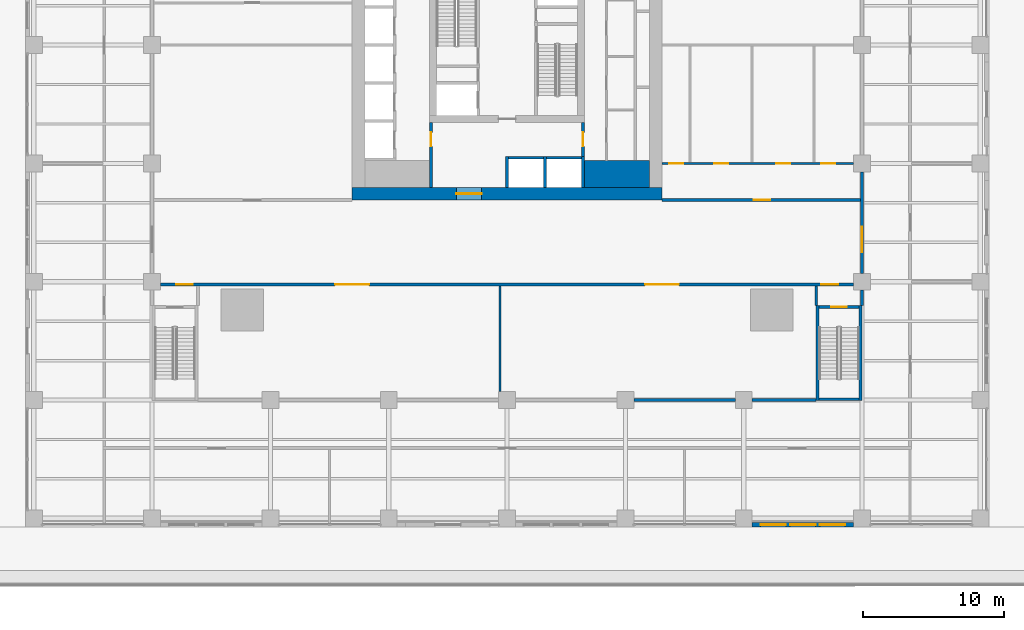
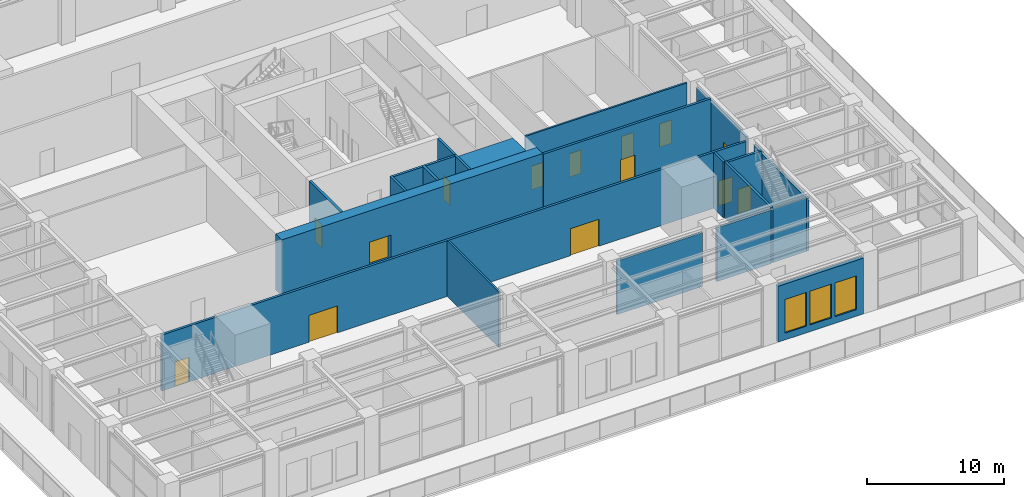
# One storey, part 23 of 36: 23 walls, 14 doors, 3 windows, 17 openings.
"""IFC4 building model written with IfcOpenShell, lengths in metres."""

from ifc_helpers import new_model, si_unit, direction, frame, frame_2d, origin, place, context, subcontext, project, spatial, rectangle, extrude, material, layer, layer_set, type_object, element, fill, save


model = new_model("IFC4")

# Units and contexts
model_context = context("Model", 3, precision=1e-05, world=origin(), true_north=direction((0.0, 1.0)))
body_context = subcontext(model_context, "Body", "Model", "MODEL_VIEW")
ifc_project = project(units=[si_unit("LENGTHUNIT", "METRE"), si_unit("AREAUNIT", "SQUARE_METRE"), si_unit("VOLUMEUNIT", "CUBIC_METRE"), si_unit("PLANEANGLEUNIT", "RADIAN"), si_unit("MASSUNIT", "GRAM", prefix="KILO")], contexts=[model_context])

# Site, building, storey
site_placement = place(None, origin())
site = spatial("IfcSite", under=ifc_project, at=site_placement, CompositionType="ELEMENT")
building_placement = place(site_placement, origin())
building = spatial("IfcBuilding", under=site, at=building_placement, Name="Khepri Terraces", CompositionType="ELEMENT")
storey_placement = place(building_placement, frame((0.0, 0.0, 16.800048828125)))
storey = spatial("IfcBuildingStorey", under=building, at=storey_placement, Name="L03", CompositionType="ELEMENT", Elevation=16.800048828125)

# Walls
ifc_material_1 = material(Name="Concrete C80/95", Category="concrete")
ifc_layer_1 = layer(ifc_material_1, 1.89990234375, Name="Concrete C80/95", Category="concrete")
ifc_layer_set_1 = layer_set([ifc_layer_1], Name="Concrete C80/95")
wall_type_1 = type_object("IfcWallType", Name="Core wall 1900 C80/95", PredefinedType="SHEAR", material=ifc_layer_set_1)
wall_1_placement = place(storey_placement, frame((5.5, -9.14990234375, 0.0), z_axis=(0.0, 0.0, 1.0), x_axis=(1.0, 0.0, 0.0)))
element("IfcWall", 1, at=wall_1_placement, inside=storey, type_object=wall_type_1, Name="Core wall PR02 L03", PredefinedType="SHEAR", context=body_context, shape_type="SweptSolid", body=[
    extrude(rectangle(XDim=4.60009765625, YDim=1.89990234375, at=frame_2d((2.300048828125, 0.0))), origin(), (0.0, 0.0, 1.0), 4.97998046875),
])
ifc_layer_2 = layer(ifc_material_1, 0.199951171875, Name="Concrete C80/95", Category="concrete")
ifc_layer_set_2 = layer_set([ifc_layer_2], Name="Concrete C80/95")
wall_type_2 = type_object("IfcWallType", Name="Core wall 200 C80/95", PredefinedType="SHEAR", material=ifc_layer_set_2)
for number, where, z_axis, x_axis, name in (
    (2, (0.0, -10.10009765625, 0.0), (0.0, 0.0, 1.0), (0.0, 1.0, 0.0), "Core wall SH01 L03"),
    (3, (2.699951171875, -10.10009765625, 0.0), (0.0, 0.0, 1.0), (0.0, 1.0, 0.0), "Core wall SH02 L03"),
    (4, (5.39990234375, -10.10009765625, 0.0), (0.0, 0.0, 1.0), (0.0, 1.0, 0.0), "Core wall SH03 L03"),
):
    element("IfcWall", number, at=place(storey_placement, frame(where, z_axis=z_axis, x_axis=x_axis)), inside=storey, type_object=wall_type_2, Name=name, PredefinedType="SHEAR", context=body_context, shape_type="SweptSolid", body=[
        extrude(rectangle(XDim=2.2001953125, YDim=0.199951171875, at=frame_2d((1.10009765625, 0.0))), origin(), (0.0, 0.0, 1.0), 4.97998046875),
    ])
for number, where, z_axis, x_axis, name in (
    (5, (0.10009765625, -8.0, 0.0), (0.0, 0.0, 1.0), (1.0, 0.0, 0.0), "Core wall SH06 L03"),
    (6, (2.800048828125, -8.0, 0.0), (0.0, 0.0, 1.0), (1.0, 0.0, 0.0), "Core wall SH07 L03"),
):
    element("IfcWall", number, at=place(storey_placement, frame(where, z_axis=z_axis, x_axis=x_axis)), inside=storey, type_object=wall_type_2, Name=name, PredefinedType="SHEAR", context=body_context, shape_type="SweptSolid", body=[
        extrude(rectangle(XDim=2.5, YDim=0.199951171875, at=frame_2d((1.25, 0.0))), origin(), (0.0, 0.0, 1.0), 4.97998046875),
    ])

# Wall, opening, door
ifc_layer_3 = layer(ifc_material_1, 0.89990234375, Name="Concrete C80/95", Category="concrete")
ifc_layer_set_3 = layer_set([ifc_layer_3], Name="Concrete C80/95")
wall_type_3 = type_object("IfcWallType", Name="Core wall 900 C80/95", PredefinedType="SHEAR", material=ifc_layer_set_3)
wall_2_placement = place(storey_placement, frame((-11.0, -10.550048828125, 0.0), z_axis=(0.0, 0.0, 1.0), x_axis=(1.0, 0.0, 0.0)))
wall_2 = element("IfcWall", 7, at=wall_2_placement, inside=storey, type_object=wall_type_3, Name="Core wall OW-S L03", PredefinedType="SHEAR", context=body_context, shape_type="SweptSolid", body=[
    extrude(rectangle(XDim=22.0, YDim=0.89990234375, at=frame_2d((11.0, 0.0))), origin(), (0.0, 0.0, 1.0), 4.97998046875),
])
opening_1_placement = place(wall_2_placement, frame((7.39990234375, 0.0, 0.0)))
opening_1 = element("IfcOpeningElement", 8, at=opening_1_placement, cuts=wall_2, Name="Opening L03-C21", PredefinedType="OPENING", context=body_context, shape_type="SweptSolid", body=[
    extrude(rectangle(XDim=1.800048828125, YDim=2.199951171875, at=frame_2d((0.89990234375, 1.10009765625))), frame((0.0, 0.4599609375, 0.0), z_axis=(0.0, -1.0, 0.0), x_axis=(1.0, 0.0, 0.0)), (0.0, 0.0, 1.0), 0.919921875),
])
ifc_material_2 = material(Name="Painted steel", Category="steel")
door_type_1 = type_object("IfcDoorType", Name="DR-CORE-ENTRANCE-1800", OperationType="NOTDEFINED", PredefinedType="DOOR", material=ifc_material_2)
door_1_placement = place(opening_1_placement, frame((1.800048828125, 0.0, 0.0), z_axis=(0.0, 0.0, 1.0), x_axis=(-1.0, 0.0, 0.0)))
door_1 = element("IfcDoor", 9, at=door_1_placement, inside=storey, type_object=door_type_1, Name="Core entrance door pair L03-C21", OperationType="DOUBLE_DOOR_SINGLE_SWING", OverallHeight=2.199951171875, OverallWidth=1.800048828125, PredefinedType="DOOR", context=body_context, shape_type="SweptSolid", body=[
    extrude(rectangle(XDim=1.800048828125, YDim=2.199951171875, at=frame_2d((0.89990234375, 1.10009765625))), frame((0.0, 0.02490234375, 0.0), z_axis=(0.0, -1.0, 0.0), x_axis=(1.0, 0.0, 0.0)), (0.0, 0.0, 1.0), 0.050048828125),
])
fill(opening_1, door_1)

ifc_material_3 = material(Name="Fire-rated gypsum board partition")
ifc_layer_4 = layer(ifc_material_3, 0.199951171875, Name="Fire-rated gypsum board partition")
ifc_layer_set_4 = layer_set([ifc_layer_4], Name="Fire-rated gypsum board partition")
wall_type_4 = type_object("IfcWallType", Name="WL-CORE-PART-200", PredefinedType="PARTITIONING", material=ifc_layer_set_4)
wall_3_placement = place(storey_placement, frame((-5.39990234375, -10.10009765625, 0.0), z_axis=(0.0, 0.0, 1.0), x_axis=(0.0, 1.0, 0.0)))
wall_3 = element("IfcWall", 10, at=wall_3_placement, inside=storey, type_object=wall_type_4, Name="Core partition PT01 L03", PredefinedType="PARTITIONING", context=body_context, shape_type="SweptSolid", body=[
    extrude(rectangle(XDim=4.60009765625, YDim=0.199951171875, at=frame_2d((2.300048828125, 0.0))), origin(), (0.0, 0.0, 1.0), 4.97998046875),
])
opening_2_placement = place(wall_3_placement, frame((2.89990234375, 0.0, 0.0)))
opening_2 = element("IfcOpeningElement", 11, at=opening_2_placement, cuts=wall_3, Name="Opening L03-C18", PredefinedType="OPENING", context=body_context, shape_type="SweptSolid", body=[
    extrude(rectangle(XDim=1.0, YDim=2.10009765625, at=frame_2d((0.5, 1.050048828125))), frame((0.0, 0.10986328125, 0.0), z_axis=(0.0, -1.0, 0.0), x_axis=(1.0, 0.0, 0.0)), (0.0, 0.0, 1.0), 0.219970703125),
])
door_type_2 = type_object("IfcDoorType", Name="DR-CORE-LOBBY-1000", OperationType="NOTDEFINED", PredefinedType="DOOR", material=ifc_material_2)
door_2_placement = place(opening_2_placement, frame((1.0, 0.0, 0.0), z_axis=(0.0, 0.0, 1.0), x_axis=(-1.0, 0.0, 0.0)))
door_2 = element("IfcDoor", 12, at=door_2_placement, inside=storey, type_object=door_type_2, Name="Lobby door L03-C18", OperationType="SINGLE_SWING_LEFT", OverallHeight=2.10009765625, OverallWidth=1.0, PredefinedType="DOOR", context=body_context, shape_type="SweptSolid", body=[
    extrude(rectangle(XDim=1.0, YDim=2.10009765625, at=frame_2d((0.5, 1.050048828125))), frame((0.0, 0.02490234375, 0.0), z_axis=(0.0, -1.0, 0.0), x_axis=(1.0, 0.0, 0.0)), (0.0, 0.0, 1.0), 0.050048828125),
])
fill(opening_2, door_2)

wall_4_placement = place(storey_placement, frame((5.39990234375, -7.89990234375, 0.0), z_axis=(0.0, 0.0, 1.0), x_axis=(0.0, 1.0, 0.0)))
wall_4 = element("IfcWall", 13, at=wall_4_placement, inside=storey, type_object=wall_type_4, Name="Core partition PT03 L03", PredefinedType="PARTITIONING", context=body_context, shape_type="SweptSolid", body=[
    extrude(rectangle(XDim=2.39990234375, YDim=0.199951171875, at=frame_2d((1.199951171875, 0.0))), origin(), (0.0, 0.0, 1.0), 4.97998046875),
])
opening_3_placement = place(wall_4_placement, frame((0.699951171875, 0.0, 0.0)))
opening_3 = element("IfcOpeningElement", 14, at=opening_3_placement, cuts=wall_4, Name="Opening L03-C19", PredefinedType="OPENING", context=body_context, shape_type="SweptSolid", body=[
    extrude(rectangle(XDim=1.0, YDim=2.10009765625, at=frame_2d((0.5, 1.050048828125))), frame((0.0, 0.10986328125, 0.0), z_axis=(0.0, -1.0, 0.0), x_axis=(1.0, 0.0, 0.0)), (0.0, 0.0, 1.0), 0.219970703125),
])
door_3_placement = place(opening_3_placement, origin())
door_3 = element("IfcDoor", 15, at=door_3_placement, inside=storey, type_object=door_type_2, Name="Lobby door L03-C19", OperationType="SINGLE_SWING_RIGHT", OverallHeight=2.10009765625, OverallWidth=1.0, PredefinedType="DOOR", context=body_context, shape_type="SweptSolid", body=[
    extrude(rectangle(XDim=1.0, YDim=2.10009765625, at=frame_2d((0.5, 1.050048828125))), frame((0.0, 0.02490234375, 0.0), z_axis=(0.0, -1.0, 0.0), x_axis=(1.0, 0.0, 0.0)), (0.0, 0.0, 1.0), 0.050048828125),
])
fill(opening_3, door_3)

# Wall, openings, windows
ifc_material_4 = material(Name="Precast concrete C50/60 warm stone", Category="masonry")
ifc_layer_5 = layer(ifc_material_4, 0.300048828125, Name="Precast concrete C50/60 warm stone", Category="masonry")
ifc_layer_set_5 = layer_set([ifc_layer_5], Name="Precast concrete C50/60 warm stone")
wall_type_5 = type_object("IfcWallType", Name="WL-EXT-PRECAST-300", PredefinedType="STANDARD", material=ifc_layer_set_5)
wall_5_placement = place(storey_placement, frame((17.39990234375, -34.050048828125, 0.0), z_axis=(0.0, 0.0, 1.0), x_axis=(1.0, 0.0, 0.0)))
wall_5 = element("IfcWall", 16, at=wall_5_placement, inside=storey, type_object=wall_type_5, Name="External wall L03 S", PredefinedType="STANDARD", context=body_context, shape_type="SweptSolid", body=[
    extrude(rectangle(XDim=7.2001953125, YDim=0.300048828125, at=frame_2d((3.60009765625, 0.0))), origin(), (0.0, 0.0, 1.0), 4.97998046875),
])
opening_4_placement = place(wall_5_placement, frame((0.60009765625, 0.0, 0.60009765625)))
opening_4 = element("IfcOpeningElement", 17, at=opening_4_placement, cuts=wall_5, Name="Opening WP1", PredefinedType="OPENING", context=body_context, shape_type="SweptSolid", body=[
    extrude(rectangle(XDim=1.800048828125, YDim=3.0, at=frame_2d((0.89990234375, 1.5))), frame((0.0, 0.16015625, 0.0), z_axis=(0.0, -1.0, 0.0), x_axis=(1.0, 0.0, 0.0)), (0.0, 0.0, 1.0), 0.320068359375),
])
opening_5_placement = place(wall_5_placement, frame((2.699951171875, 0.0, 0.60009765625)))
opening_5 = element("IfcOpeningElement", 18, at=opening_5_placement, cuts=wall_5, Name="Opening WP1", PredefinedType="OPENING", context=body_context, shape_type="SweptSolid", body=[
    extrude(rectangle(XDim=1.800048828125, YDim=3.0, at=frame_2d((0.89990234375, 1.5))), frame((0.0, 0.16015625, 0.0), z_axis=(0.0, -1.0, 0.0), x_axis=(1.0, 0.0, 0.0)), (0.0, 0.0, 1.0), 0.320068359375),
])
opening_6_placement = place(wall_5_placement, frame((4.800048828125, 0.0, 0.60009765625)))
opening_6 = element("IfcOpeningElement", 19, at=opening_6_placement, cuts=wall_5, Name="Opening WP1", PredefinedType="OPENING", context=body_context, shape_type="SweptSolid", body=[
    extrude(rectangle(XDim=1.800048828125, YDim=3.0, at=frame_2d((0.89990234375, 1.5))), frame((0.0, 0.16015625, 0.0), z_axis=(0.0, -1.0, 0.0), x_axis=(1.0, 0.0, 0.0)), (0.0, 0.0, 1.0), 0.320068359375),
])
ifc_material_5 = material(Name="Clear glass", Category="glass")
window_type = type_object("IfcWindowType", Name="WIN-POD-1800x3000", PartitioningType="SINGLE_PANEL", PredefinedType="WINDOW", material=ifc_material_5)
window_1_placement = place(opening_4_placement, origin())
window_1 = element("IfcWindow", 20, at=window_1_placement, inside=storey, type_object=window_type, Name="Window L03 S", OverallHeight=3.0, OverallWidth=1.800048828125, PartitioningType="SINGLE_PANEL", PredefinedType="WINDOW", context=body_context, shape_type="SweptSolid", body=[
    extrude(rectangle(XDim=1.800048828125, YDim=3.0, at=frame_2d((0.89990234375, 1.5))), frame((0.0, 0.030029296875, 0.0), z_axis=(0.0, -1.0, 0.0), x_axis=(1.0, 0.0, 0.0)), (0.0, 0.0, 1.0), 0.06005859375),
])
fill(opening_4, window_1)
window_2_placement = place(opening_5_placement, origin())
window_2 = element("IfcWindow", 21, at=window_2_placement, inside=storey, type_object=window_type, Name="Window L03 S", OverallHeight=3.0, OverallWidth=1.800048828125, PartitioningType="SINGLE_PANEL", PredefinedType="WINDOW", context=body_context, shape_type="SweptSolid", body=[
    extrude(rectangle(XDim=1.800048828125, YDim=3.0, at=frame_2d((0.89990234375, 1.5))), frame((0.0, 0.030029296875, 0.0), z_axis=(0.0, -1.0, 0.0), x_axis=(1.0, 0.0, 0.0)), (0.0, 0.0, 1.0), 0.06005859375),
])
fill(opening_5, window_2)
window_3_placement = place(opening_6_placement, origin())
window_3 = element("IfcWindow", 22, at=window_3_placement, inside=storey, type_object=window_type, Name="Window L03 S", OverallHeight=3.0, OverallWidth=1.800048828125, PartitioningType="SINGLE_PANEL", PredefinedType="WINDOW", context=body_context, shape_type="SweptSolid", body=[
    extrude(rectangle(XDim=1.800048828125, YDim=3.0, at=frame_2d((0.89990234375, 1.5))), frame((0.0, 0.030029296875, 0.0), z_axis=(0.0, -1.0, 0.0), x_axis=(1.0, 0.0, 0.0)), (0.0, 0.0, 1.0), 0.06005859375),
])
fill(opening_6, window_3)

# Wall, openings, doors
ifc_material_6 = material(Name="Gypsum board partition")
ifc_layer_6 = layer(ifc_material_6, 0.14990234375, Name="Gypsum board partition")
ifc_layer_set_6 = layer_set([ifc_layer_6], Name="Gypsum board partition")
wall_type_6 = type_object("IfcWallType", Name="WL-POD-150", PredefinedType="PARTITIONING", material=ifc_layer_set_6)
wall_6_placement = place(storey_placement, frame((11.0, -8.39990234375, 0.0), z_axis=(0.0, 0.0, 1.0), x_axis=(1.0, 0.0, 0.0)))
wall_6 = element("IfcWall", 23, at=wall_6_placement, inside=storey, type_object=wall_type_6, Name="Partition L03-PW013", PredefinedType="PARTITIONING", context=body_context, shape_type="SweptSolid", body=[
    extrude(rectangle(XDim=13.60009765625, YDim=0.14990234375, at=frame_2d((6.800048828125, 0.0))), origin(), (0.0, 0.0, 1.0), 4.97998046875),
])
opening_7_placement = place(wall_6_placement, frame((0.5, 0.0, 0.0)))
opening_7 = element("IfcOpeningElement", 24, at=opening_7_placement, cuts=wall_6, Name="Opening L03-P15", PredefinedType="OPENING", context=body_context, shape_type="SweptSolid", body=[
    extrude(rectangle(XDim=1.0, YDim=2.10009765625, at=frame_2d((0.5, 1.050048828125))), frame((0.0, 0.0849609375, 0.0), z_axis=(0.0, -1.0, 0.0), x_axis=(1.0, 0.0, 0.0)), (0.0, 0.0, 1.0), 0.169921875),
])
opening_8_placement = place(wall_6_placement, frame((3.699951171875, 0.0, 0.0)))
opening_8 = element("IfcOpeningElement", 25, at=opening_8_placement, cuts=wall_6, Name="Opening L03-P16", PredefinedType="OPENING", context=body_context, shape_type="SweptSolid", body=[
    extrude(rectangle(XDim=1.0, YDim=2.10009765625, at=frame_2d((0.5, 1.050048828125))), frame((0.0, 0.0849609375, 0.0), z_axis=(0.0, -1.0, 0.0), x_axis=(1.0, 0.0, 0.0)), (0.0, 0.0, 1.0), 0.169921875),
])
opening_9_placement = place(wall_6_placement, frame((8.10009765625, 0.0, 0.0)))
opening_9 = element("IfcOpeningElement", 26, at=opening_9_placement, cuts=wall_6, Name="Opening L03-P17", PredefinedType="OPENING", context=body_context, shape_type="SweptSolid", body=[
    extrude(rectangle(XDim=1.0, YDim=2.10009765625, at=frame_2d((0.5, 1.050048828125))), frame((0.0, 0.0849609375, 0.0), z_axis=(0.0, -1.0, 0.0), x_axis=(1.0, 0.0, 0.0)), (0.0, 0.0, 1.0), 0.169921875),
])
opening_10_placement = place(wall_6_placement, frame((11.300048828125, 0.0, 0.0)))
opening_10 = element("IfcOpeningElement", 27, at=opening_10_placement, cuts=wall_6, Name="Opening L03-P18", PredefinedType="OPENING", context=body_context, shape_type="SweptSolid", body=[
    extrude(rectangle(XDim=1.0, YDim=2.10009765625, at=frame_2d((0.5, 1.050048828125))), frame((0.0, 0.0849609375, 0.0), z_axis=(0.0, -1.0, 0.0), x_axis=(1.0, 0.0, 0.0)), (0.0, 0.0, 1.0), 0.169921875),
])
ifc_material_7 = material(Name="Timber veneer", Category="wood")
door_type_3 = type_object("IfcDoorType", Name="DR-POD-SINGLE-1000", OperationType="NOTDEFINED", PredefinedType="DOOR", material=ifc_material_7)
door_4_placement = place(opening_7_placement, origin())
door_4 = element("IfcDoor", 28, at=door_4_placement, inside=storey, type_object=door_type_3, Name="Door L03-P15", OperationType="SINGLE_SWING_LEFT", OverallHeight=2.10009765625, OverallWidth=1.0, PredefinedType="DOOR", context=body_context, shape_type="SweptSolid", body=[
    extrude(rectangle(XDim=1.0, YDim=2.10009765625, at=frame_2d((0.5, 1.050048828125))), frame((0.0, 0.02490234375, 0.0), z_axis=(0.0, -1.0, 0.0), x_axis=(1.0, 0.0, 0.0)), (0.0, 0.0, 1.0), 0.050048828125),
])
fill(opening_7, door_4)
door_5_placement = place(opening_8_placement, origin())
door_5 = element("IfcDoor", 29, at=door_5_placement, inside=storey, type_object=door_type_3, Name="Door L03-P16", OperationType="SINGLE_SWING_LEFT", OverallHeight=2.10009765625, OverallWidth=1.0, PredefinedType="DOOR", context=body_context, shape_type="SweptSolid", body=[
    extrude(rectangle(XDim=1.0, YDim=2.10009765625, at=frame_2d((0.5, 1.050048828125))), frame((0.0, 0.02490234375, 0.0), z_axis=(0.0, -1.0, 0.0), x_axis=(1.0, 0.0, 0.0)), (0.0, 0.0, 1.0), 0.050048828125),
])
fill(opening_8, door_5)
door_6_placement = place(opening_9_placement, origin())
door_6 = element("IfcDoor", 30, at=door_6_placement, inside=storey, type_object=door_type_3, Name="Door L03-P17", OperationType="SINGLE_SWING_RIGHT", OverallHeight=2.10009765625, OverallWidth=1.0, PredefinedType="DOOR", context=body_context, shape_type="SweptSolid", body=[
    extrude(rectangle(XDim=1.0, YDim=2.10009765625, at=frame_2d((0.5, 1.050048828125))), frame((0.0, 0.02490234375, 0.0), z_axis=(0.0, -1.0, 0.0), x_axis=(1.0, 0.0, 0.0)), (0.0, 0.0, 1.0), 0.050048828125),
])
fill(opening_9, door_6)
door_7_placement = place(opening_10_placement, origin())
door_7 = element("IfcDoor", 31, at=door_7_placement, inside=storey, type_object=door_type_3, Name="Door L03-P18", OperationType="SINGLE_SWING_RIGHT", OverallHeight=2.10009765625, OverallWidth=1.0, PredefinedType="DOOR", context=body_context, shape_type="SweptSolid", body=[
    extrude(rectangle(XDim=1.0, YDim=2.10009765625, at=frame_2d((0.5, 1.050048828125))), frame((0.0, 0.02490234375, 0.0), z_axis=(0.0, -1.0, 0.0), x_axis=(1.0, 0.0, 0.0)), (0.0, 0.0, 1.0), 0.050048828125),
])
fill(opening_10, door_7)

# Walls
wall_7_placement = place(storey_placement, frame((-0.5, -24.60009765625, 0.0), z_axis=(0.0, 0.0, 1.0), x_axis=(0.0, 1.0, 0.0)))
element("IfcWall", 32, at=wall_7_placement, inside=storey, type_object=wall_type_6, Name="Partition L03-PW043", PredefinedType="PARTITIONING", context=body_context, shape_type="SweptSolid", body=[
    extrude(rectangle(XDim=7.5, YDim=0.14990234375, at=frame_2d((3.75, 0.0))), origin(), (0.0, 0.0, 1.0), 4.97998046875),
])
ifc_material_8 = material(Name="Fire-rated block wall")
ifc_layer_7 = layer(ifc_material_8, 0.199951171875, Name="Fire-rated block wall")
ifc_layer_set_7 = layer_set([ifc_layer_7], Name="Fire-rated block wall")
wall_type_7 = type_object("IfcWallType", Name="WL-POD-200-EI60", PredefinedType="PARTITIONING", material=ifc_layer_set_7)
wall_8_placement = place(storey_placement, frame((9.0, -25.199951171875, 0.0), z_axis=(0.0, 0.0, 1.0), x_axis=(1.0, 0.0, 0.0)))
element("IfcWall", 33, at=wall_8_placement, inside=storey, type_object=wall_type_7, Name="Partition L03-PW006", PredefinedType="PARTITIONING", context=body_context, shape_type="SweptSolid", body=[
    extrude(rectangle(XDim=7.199951171875, YDim=0.199951171875, at=frame_2d((3.60009765625, 0.0))), origin(), (0.0, 0.0, 1.0), 4.780029296875),
])
wall_9_placement = place(storey_placement, frame((17.39990234375, -25.199951171875, 0.0), z_axis=(0.0, 0.0, 1.0), x_axis=(1.0, 0.0, 0.0)))
element("IfcWall", 34, at=wall_9_placement, inside=storey, type_object=wall_type_7, Name="Partition L03-PW007", PredefinedType="PARTITIONING", context=body_context, shape_type="SweptSolid", body=[
    extrude(rectangle(XDim=4.550048828125, YDim=0.199951171875, at=frame_2d((2.27490234375, 0.0))), origin(), (0.0, 0.0, 1.0), 4.780029296875),
])

# Wall, openings, doors
wall_10_placement = place(storey_placement, frame((-24.60009765625, -17.0, 0.0), z_axis=(0.0, 0.0, 1.0), x_axis=(1.0, 0.0, 0.0)))
wall_10 = element("IfcWall", 35, at=wall_10_placement, inside=storey, type_object=wall_type_7, Name="Partition L03-PW008", PredefinedType="PARTITIONING", context=body_context, shape_type="SweptSolid", body=[
    extrude(rectangle(XDim=49.2001953125, YDim=0.199951171875, at=frame_2d((24.60009765625, 0.0))), origin(), (0.0, 0.0, 1.0), 4.97998046875),
])
opening_11_placement = place(wall_10_placement, frame((1.10009765625, 0.0, 0.0)))
opening_11 = element("IfcOpeningElement", 36, at=opening_11_placement, cuts=wall_10, Name="Opening L03-P06", PredefinedType="OPENING", context=body_context, shape_type="SweptSolid", body=[
    extrude(rectangle(XDim=1.199951171875, YDim=2.199951171875, at=frame_2d((0.60009765625, 1.10009765625))), frame((0.0, 0.10986328125, 0.0), z_axis=(0.0, -1.0, 0.0), x_axis=(1.0, 0.0, 0.0)), (0.0, 0.0, 1.0), 0.219970703125),
])
opening_12_placement = place(wall_10_placement, frame((12.39990234375, 0.0, 0.0)))
opening_12 = element("IfcOpeningElement", 37, at=opening_12_placement, cuts=wall_10, Name="Opening L03-P07", PredefinedType="OPENING", context=body_context, shape_type="SweptSolid", body=[
    extrude(rectangle(XDim=2.39990234375, YDim=2.39990234375, at=frame_2d((1.199951171875, 1.199951171875))), frame((0.0, 0.10986328125, 0.0), z_axis=(0.0, -1.0, 0.0), x_axis=(1.0, 0.0, 0.0)), (0.0, 0.0, 1.0), 0.219970703125),
])
opening_13_placement = place(wall_10_placement, frame((34.39990234375, 0.0, 0.0)))
opening_13 = element("IfcOpeningElement", 38, at=opening_13_placement, cuts=wall_10, Name="Opening L03-P08", PredefinedType="OPENING", context=body_context, shape_type="SweptSolid", body=[
    extrude(rectangle(XDim=2.39990234375, YDim=2.39990234375, at=frame_2d((1.199951171875, 1.199951171875))), frame((0.0, 0.10986328125, 0.0), z_axis=(0.0, -1.0, 0.0), x_axis=(1.0, 0.0, 0.0)), (0.0, 0.0, 1.0), 0.219970703125),
])
opening_14_placement = place(wall_10_placement, frame((46.89990234375, 0.0, 0.0)))
opening_14 = element("IfcOpeningElement", 39, at=opening_14_placement, cuts=wall_10, Name="Opening L03-P09", PredefinedType="OPENING", context=body_context, shape_type="SweptSolid", body=[
    extrude(rectangle(XDim=1.199951171875, YDim=2.199951171875, at=frame_2d((0.60009765625, 1.10009765625))), frame((0.0, 0.10986328125, 0.0), z_axis=(0.0, -1.0, 0.0), x_axis=(1.0, 0.0, 0.0)), (0.0, 0.0, 1.0), 0.219970703125),
])
door_type_4 = type_object("IfcDoorType", Name="DR-POD-FIRE-1200", OperationType="NOTDEFINED", PredefinedType="DOOR", material=ifc_material_2)
door_8_placement = place(opening_11_placement, origin())
door_8 = element("IfcDoor", 40, at=door_8_placement, inside=storey, type_object=door_type_4, Name="Fire door L03-P06", OperationType="SINGLE_SWING_LEFT", OverallHeight=2.199951171875, OverallWidth=1.199951171875, PredefinedType="DOOR", context=body_context, shape_type="SweptSolid", body=[
    extrude(rectangle(XDim=1.199951171875, YDim=2.199951171875, at=frame_2d((0.60009765625, 1.10009765625))), frame((0.0, 0.02490234375, 0.0), z_axis=(0.0, -1.0, 0.0), x_axis=(1.0, 0.0, 0.0)), (0.0, 0.0, 1.0), 0.050048828125),
])
fill(opening_11, door_8)
door_9_placement = place(opening_14_placement, origin())
door_9 = element("IfcDoor", 41, at=door_9_placement, inside=storey, type_object=door_type_4, Name="Fire door L03-P09", OperationType="SINGLE_SWING_RIGHT", OverallHeight=2.199951171875, OverallWidth=1.199951171875, PredefinedType="DOOR", context=body_context, shape_type="SweptSolid", body=[
    extrude(rectangle(XDim=1.199951171875, YDim=2.199951171875, at=frame_2d((0.60009765625, 1.10009765625))), frame((0.0, 0.02490234375, 0.0), z_axis=(0.0, -1.0, 0.0), x_axis=(1.0, 0.0, 0.0)), (0.0, 0.0, 1.0), 0.050048828125),
])
fill(opening_14, door_9)
door_type_5 = type_object("IfcDoorType", Name="DR-POD-PAIR-2400", OperationType="DOUBLE_DOOR_SINGLE_SWING", PredefinedType="DOOR", material=ifc_material_7)
door_10_placement = place(opening_12_placement, origin())
door_10 = element("IfcDoor", 42, at=door_10_placement, inside=storey, type_object=door_type_5, Name="Double door L03-P07", OperationType="DOUBLE_DOOR_SINGLE_SWING", OverallHeight=2.39990234375, OverallWidth=2.39990234375, PredefinedType="DOOR", context=body_context, shape_type="SweptSolid", body=[
    extrude(rectangle(XDim=2.39990234375, YDim=2.39990234375, at=frame_2d((1.199951171875, 1.199951171875))), frame((0.0, 0.02490234375, 0.0), z_axis=(0.0, -1.0, 0.0), x_axis=(1.0, 0.0, 0.0)), (0.0, 0.0, 1.0), 0.050048828125),
])
fill(opening_12, door_10)
door_11_placement = place(opening_13_placement, origin())
door_11 = element("IfcDoor", 43, at=door_11_placement, inside=storey, type_object=door_type_5, Name="Double door L03-P08", OperationType="DOUBLE_DOOR_SINGLE_SWING", OverallHeight=2.39990234375, OverallWidth=2.39990234375, PredefinedType="DOOR", context=body_context, shape_type="SweptSolid", body=[
    extrude(rectangle(XDim=2.39990234375, YDim=2.39990234375, at=frame_2d((1.199951171875, 1.199951171875))), frame((0.0, 0.02490234375, 0.0), z_axis=(0.0, -1.0, 0.0), x_axis=(1.0, 0.0, 0.0)), (0.0, 0.0, 1.0), 0.050048828125),
])
fill(opening_13, door_11)

# Wall, opening, door
wall_11_placement = place(storey_placement, frame((11.0, -11.0, 0.0), z_axis=(0.0, 0.0, 1.0), x_axis=(1.0, 0.0, 0.0)))
wall_11 = element("IfcWall", 44, at=wall_11_placement, inside=storey, type_object=wall_type_7, Name="Partition L03-PW011", PredefinedType="PARTITIONING", context=body_context, shape_type="SweptSolid", body=[
    extrude(rectangle(XDim=14.10009765625, YDim=0.199951171875, at=frame_2d((7.050048828125, 0.0))), origin(), (0.0, 0.0, 1.0), 4.97998046875),
])
opening_15_placement = place(wall_11_placement, frame((6.5, 0.0, 0.0)))
opening_15 = element("IfcOpeningElement", 45, at=opening_15_placement, cuts=wall_11, Name="Opening L03-P14", PredefinedType="OPENING", context=body_context, shape_type="SweptSolid", body=[
    extrude(rectangle(XDim=1.199951171875, YDim=2.199951171875, at=frame_2d((0.60009765625, 1.10009765625))), frame((0.0, 0.10986328125, 0.0), z_axis=(0.0, -1.0, 0.0), x_axis=(1.0, 0.0, 0.0)), (0.0, 0.0, 1.0), 0.219970703125),
])
door_type_6 = type_object("IfcDoorType", Name="DR-POD-SINGLE-1200", OperationType="NOTDEFINED", PredefinedType="DOOR", material=ifc_material_7)
door_12_placement = place(opening_15_placement, origin())
door_12 = element("IfcDoor", 46, at=door_12_placement, inside=storey, type_object=door_type_6, Name="Door L03-P14", OperationType="SINGLE_SWING_RIGHT", OverallHeight=2.199951171875, OverallWidth=1.199951171875, PredefinedType="DOOR", context=body_context, shape_type="SweptSolid", body=[
    extrude(rectangle(XDim=1.199951171875, YDim=2.199951171875, at=frame_2d((0.60009765625, 1.10009765625))), frame((0.0, 0.02490234375, 0.0), z_axis=(0.0, -1.0, 0.0), x_axis=(1.0, 0.0, 0.0)), (0.0, 0.0, 1.0), 0.050048828125),
])
fill(opening_15, door_12)

# Walls
wall_12_placement = place(storey_placement, frame((21.949951171875, -18.5, 0.0), z_axis=(0.0, 0.0, 1.0), x_axis=(0.0, 1.0, 0.0)))
element("IfcWall", 47, at=wall_12_placement, inside=storey, type_object=wall_type_7, Name="Partition L03-PW049", PredefinedType="PARTITIONING", context=body_context, shape_type="SweptSolid", body=[
    extrude(rectangle(XDim=1.39990234375, YDim=0.199951171875, at=frame_2d((0.699951171875, 0.0))), origin(), (0.0, 0.0, 1.0), 4.97998046875),
])
wall_13_placement = place(storey_placement, frame((25.199951171875, -18.5, 0.0), z_axis=(0.0, 0.0, 1.0), x_axis=(0.0, 1.0, 0.0)))
element("IfcWall", 48, at=wall_13_placement, inside=storey, type_object=wall_type_7, Name="Partition L03-PW051", PredefinedType="PARTITIONING", context=body_context, shape_type="SweptSolid", body=[
    extrude(rectangle(XDim=1.10009765625, YDim=0.199951171875, at=frame_2d((0.550048828125, 0.0))), origin(), (0.0, 0.0, 1.0), 4.679931640625),
])

# Wall, opening, door
wall_14_placement = place(storey_placement, frame((25.199951171875, -16.199951171875, 0.0), z_axis=(0.0, 0.0, 1.0), x_axis=(0.0, 1.0, 0.0)))
wall_14 = element("IfcWall", 49, at=wall_14_placement, inside=storey, type_object=wall_type_7, Name="Partition L03-PW052", PredefinedType="PARTITIONING", context=body_context, shape_type="SweptSolid", body=[
    extrude(rectangle(XDim=7.199951171875, YDim=0.199951171875, at=frame_2d((3.60009765625, 0.0))), origin(), (0.0, 0.0, 1.0), 4.679931640625),
])
opening_16_placement = place(wall_14_placement, frame((1.5, 0.0, 0.0)))
opening_16 = element("IfcOpeningElement", 50, at=opening_16_placement, cuts=wall_14, Name="Opening L03-P11", PredefinedType="OPENING", context=body_context, shape_type="SweptSolid", body=[
    extrude(rectangle(XDim=1.800048828125, YDim=2.199951171875, at=frame_2d((0.89990234375, 1.10009765625))), frame((0.0, 0.10986328125, 0.0), z_axis=(0.0, -1.0, 0.0), x_axis=(1.0, 0.0, 0.0)), (0.0, 0.0, 1.0), 0.219970703125),
])
door_type_7 = type_object("IfcDoorType", Name="DR-POD-FIRE-PAIR-1800", OperationType="DOUBLE_DOOR_SINGLE_SWING", PredefinedType="DOOR", material=ifc_material_2)
door_13_placement = place(opening_16_placement, origin())
door_13 = element("IfcDoor", 51, at=door_13_placement, inside=storey, type_object=door_type_7, Name="Fire door pair L03-P11", OperationType="DOUBLE_DOOR_SINGLE_SWING", OverallHeight=2.199951171875, OverallWidth=1.800048828125, PredefinedType="DOOR", context=body_context, shape_type="SweptSolid", body=[
    extrude(rectangle(XDim=1.800048828125, YDim=2.199951171875, at=frame_2d((0.89990234375, 1.10009765625))), frame((0.0, 0.02490234375, 0.0), z_axis=(0.0, -1.0, 0.0), x_axis=(1.0, 0.0, 0.0)), (0.0, 0.0, 1.0), 0.050048828125),
])
fill(opening_16, door_13)

# Walls
ifc_material_9 = material(Name="Concrete C40/50", Category="concrete")
ifc_layer_8 = layer(ifc_material_9, 0.199951171875, Name="Concrete C40/50", Category="concrete")
ifc_layer_set_8 = layer_set([ifc_layer_8], Name="Concrete C40/50")
wall_type_8 = type_object("IfcWallType", Name="WL-POD-STAIR-200", PredefinedType="SOLIDWALL", material=ifc_layer_set_8)
wall_15_placement = place(storey_placement, frame((22.050048828125, -25.239990234375, 0.0), z_axis=(0.0, 0.0, 1.0), x_axis=(0.0, 1.0, 0.0)))
element("IfcWall", 52, at=wall_15_placement, inside=storey, type_object=wall_type_8, Name="Stair enclosure PS-3 L03-W", PredefinedType="SOLIDWALL", context=body_context, shape_type="SweptSolid", body=[
    extrude(rectangle(XDim=6.739990234375, YDim=0.199951171875, at=frame_2d((3.3701171875, 0.0))), origin(), (0.0, 0.0, 1.0), 4.97998046875),
])
wall_16_placement = place(storey_placement, frame((25.10009765625, -25.239990234375, 0.0), z_axis=(0.0, 0.0, 1.0), x_axis=(0.0, 1.0, 0.0)))
element("IfcWall", 53, at=wall_16_placement, inside=storey, type_object=wall_type_8, Name="Stair enclosure PS-3 L03-E", PredefinedType="SOLIDWALL", context=body_context, shape_type="SweptSolid", body=[
    extrude(rectangle(XDim=6.739990234375, YDim=0.199951171875, at=frame_2d((3.3701171875, 0.0))), origin(), (0.0, 0.0, 1.0), 4.679931640625),
])
wall_17_placement = place(storey_placement, frame((22.14990234375, -25.139892578125, 0.0), z_axis=(0.0, 0.0, 1.0), x_axis=(1.0, 0.0, 0.0)))
element("IfcWall", 54, at=wall_17_placement, inside=storey, type_object=wall_type_8, Name="Stair enclosure PS-3 L03-S", PredefinedType="SOLIDWALL", context=body_context, shape_type="SweptSolid", body=[
    extrude(rectangle(XDim=2.85009765625, YDim=0.199951171875, at=frame_2d((1.425048828125, 0.0))), origin(), (0.0, 0.0, 1.0), 4.780029296875),
])

# Wall, opening, door
wall_18_placement = place(storey_placement, frame((22.14990234375, -18.60009765625, 0.0), z_axis=(0.0, 0.0, 1.0), x_axis=(1.0, 0.0, 0.0)))
wall_18 = element("IfcWall", 55, at=wall_18_placement, inside=storey, type_object=wall_type_8, Name="Stair enclosure PS-3 L03-N", PredefinedType="SOLIDWALL", context=body_context, shape_type="SweptSolid", body=[
    extrude(rectangle(XDim=2.85009765625, YDim=0.199951171875, at=frame_2d((1.425048828125, 0.0))), origin(), (0.0, 0.0, 1.0), 4.97998046875),
])
opening_17_placement = place(wall_18_placement, frame((0.875, 0.0, 0.0)))
opening_17 = element("IfcOpeningElement", 56, at=opening_17_placement, cuts=wall_18, Name="Opening L03-PS-3D", PredefinedType="OPENING", context=body_context, shape_type="SweptSolid", body=[
    extrude(rectangle(XDim=1.10009765625, YDim=2.199951171875, at=frame_2d((0.550048828125, 1.10009765625))), frame((0.0, 0.10986328125, 0.0), z_axis=(0.0, -1.0, 0.0), x_axis=(1.0, 0.0, 0.0)), (0.0, 0.0, 1.0), 0.219970703125),
])
door_type_8 = type_object("IfcDoorType", Name="DR-POD-STAIR-1100", OperationType="NOTDEFINED", PredefinedType="DOOR", material=ifc_material_2)
door_14_placement = place(opening_17_placement, origin())
door_14 = element("IfcDoor", 57, at=door_14_placement, inside=storey, type_object=door_type_8, Name="Stair door L03-PS-3D", OperationType="SINGLE_SWING_LEFT", OverallHeight=2.199951171875, OverallWidth=1.10009765625, PredefinedType="DOOR", context=body_context, shape_type="SweptSolid", body=[
    extrude(rectangle(XDim=1.10009765625, YDim=2.199951171875, at=frame_2d((0.550048828125, 1.10009765625))), frame((0.0, 0.02490234375, 0.0), z_axis=(0.0, -1.0, 0.0), x_axis=(1.0, 0.0, 0.0)), (0.0, 0.0, 1.0), 0.050048828125),
])
fill(opening_17, door_14)

save(model, "model.ifc")
